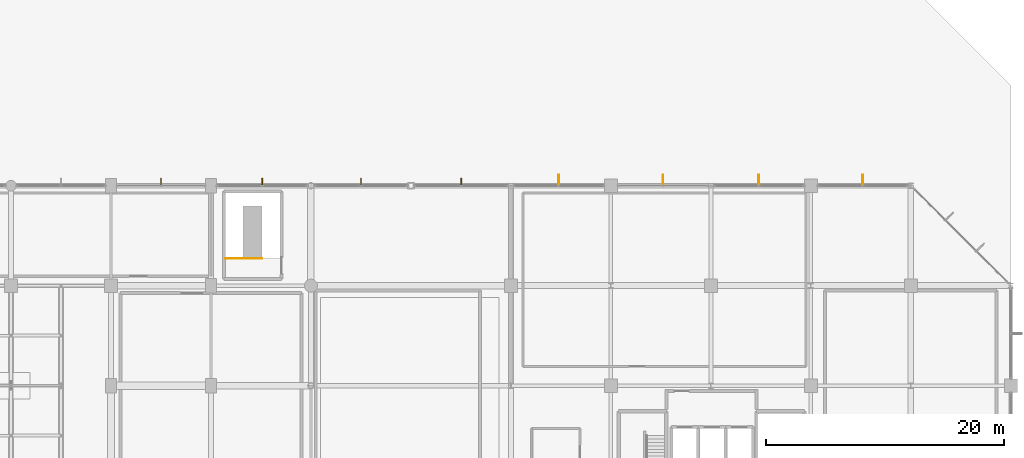
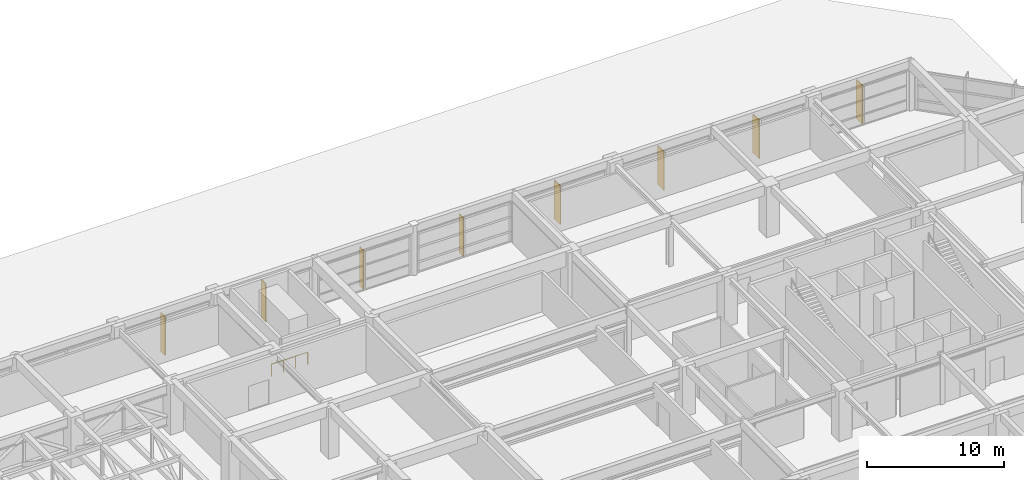
# One storey, part 46 of 47: 8 shading devices, 1 railing.
"""IFC4 building model written with IfcOpenShell, lengths in metres."""

from ifc_helpers import new_model, si_unit, direction, frame, origin, origin_2d, place, context, subcontext, project, spatial, rectangle, circle, extrude, material, type_object, element, save


model = new_model("IFC4")

# Units and contexts
model_context = context("Model", 3, precision=1e-05, world=origin(), true_north=direction((0.0, 1.0)))
body_context = subcontext(model_context, "Body", "Model", "MODEL_VIEW")
ifc_project = project(units=[si_unit("LENGTHUNIT", "METRE"), si_unit("AREAUNIT", "SQUARE_METRE"), si_unit("VOLUMEUNIT", "CUBIC_METRE"), si_unit("PLANEANGLEUNIT", "RADIAN"), si_unit("MASSUNIT", "GRAM", prefix="KILO")], contexts=[model_context])

# Site, building, storey
site_placement = place(None, origin())
site = spatial("IfcSite", under=ifc_project, at=site_placement, CompositionType="ELEMENT")
building_placement = place(site_placement, origin())
building = spatial("IfcBuilding", under=site, at=building_placement, Name="Xuanlan Plaza Opera House", CompositionType="ELEMENT")
storey_placement = place(building_placement, frame((0.0, 0.0, 23.39990234375)))
storey = spatial("IfcBuildingStorey", under=building, at=storey_placement, Name="L05", CompositionType="ELEMENT", Elevation=23.39990234375)

# Shading devices
ifc_material_1 = material(Name="Anodised Aluminium 6063-T6", Category="aluminium")
shading_device_type_1 = type_object("IfcShadingDeviceType", Name="ENV-SHD-BRS01", PredefinedType="JALOUSIE", material=ifc_material_1)
for number, where, z_axis, x_axis, name in (
    (1, (121.826904296875, 84.324951171875, 0.0400390625), (0.0, 0.0, 1.0), (0.0, 1.0, 0.0), "Parametric Sunshade Fin L05-0269"),
    (2, (113.39990234375, 84.324951171875, 0.0400390625), (0.0, 0.0, 1.0), (0.0, 1.0, 0.0), "Parametric Sunshade Fin L05-0270"),
    (3, (105.097900390625, 84.324951171875, 0.0400390625), (0.0, 0.0, 1.0), (0.0, 1.0, 0.0), "Parametric Sunshade Fin L05-0271"),
    (4, (96.60009765625, 84.324951171875, 0.0400390625), (0.0, 0.0, 1.0), (0.0, 1.0, 0.0), "Parametric Sunshade Fin L05-0272"),
):
    element("IfcShadingDevice", number, at=place(storey_placement, frame(where, z_axis=z_axis, x_axis=x_axis)), inside=storey, type_object=shading_device_type_1, Name=name, PredefinedType="JALOUSIE", context=body_context, shape_type="SweptSolid", body=[
        extrude(rectangle(XDim=0.639892578125, YDim=0.070068359375, at=origin_2d()), origin(), (0.0, 0.0, 1.0), 3.4599609375),
    ])
shading_device_type_2 = type_object("IfcShadingDeviceType", Name="ENV-SHD-BRS02", PredefinedType="JALOUSIE", material=ifc_material_1)
for number, where, z_axis, x_axis, name in (
    (5, (155.574951171875, 84.465087890625, 0.0400390625), (0.0, 0.0, 1.0), (0.0, 1.0, 0.0), "Parametric Sunshade Fin L05-0265"),
    (6, (146.824951171875, 84.465087890625, 0.0400390625), (0.0, 0.0, 1.0), (0.0, 1.0, 0.0), "Parametric Sunshade Fin L05-0266"),
    (7, (138.77490234375, 84.465087890625, 0.0400390625), (0.0, 0.0, 1.0), (0.0, 1.0, 0.0), "Parametric Sunshade Fin L05-0267"),
    (8, (130.02490234375, 84.465087890625, 0.0400390625), (0.0, 0.0, 1.0), (0.0, 1.0, 0.0), "Parametric Sunshade Fin L05-0268"),
):
    element("IfcShadingDevice", number, at=place(storey_placement, frame(where, z_axis=z_axis, x_axis=x_axis)), inside=storey, type_object=shading_device_type_2, Name=name, PredefinedType="JALOUSIE", context=body_context, shape_type="SweptSolid", body=[
        extrude(rectangle(XDim=0.919921875, YDim=0.080078125, at=origin_2d()), origin(), (0.0, 0.0, 1.0), 3.4599609375),
    ])

# Railing
ifc_material_2 = material(Name="Galvanised Steel Q235B", Category="steel")
railing_type = type_object("IfcRailingType", Name="INT-RL-GR04", PredefinedType="GUARDRAIL", material=ifc_material_2)
railing_placement = place(storey_placement, frame((102.0400390625, 77.8798828125, 0.0)))
element("IfcRailing", 9, at=railing_placement, inside=storey, type_object=railing_type, Name="Feature Stair Top Guardrail ST-F2 L05", PredefinedType="GUARDRAIL", context=body_context, shape_type="SweptSolid", body=[
    extrude(circle(Radius=0.02392578125, at=origin_2d()), frame((0.0, 0.0, 1.076171875), z_axis=(1.0, 0.0, 0.0), x_axis=(0.0, 1.0, 0.0)), (0.0, 0.0, 1.0), 3.06005859375),
    extrude(circle(Radius=0.02099609375, at=origin_2d()), origin(), (0.0, 0.0, 1.0), 1.052001953125),
    extrude(circle(Radius=0.02099609375, at=origin_2d()), frame((1.02001953125, 0.0, 0.0)), (0.0, 0.0, 1.0), 1.052001953125),
    extrude(circle(Radius=0.02099609375, at=origin_2d()), frame((2.0400390625, 0.0, 0.0)), (0.0, 0.0, 1.0), 1.052001953125),
    extrude(circle(Radius=0.02099609375, at=origin_2d()), frame((3.06005859375, 0.0, 0.0)), (0.0, 0.0, 1.0), 1.052001953125),
])

save(model, "model.ifc")
